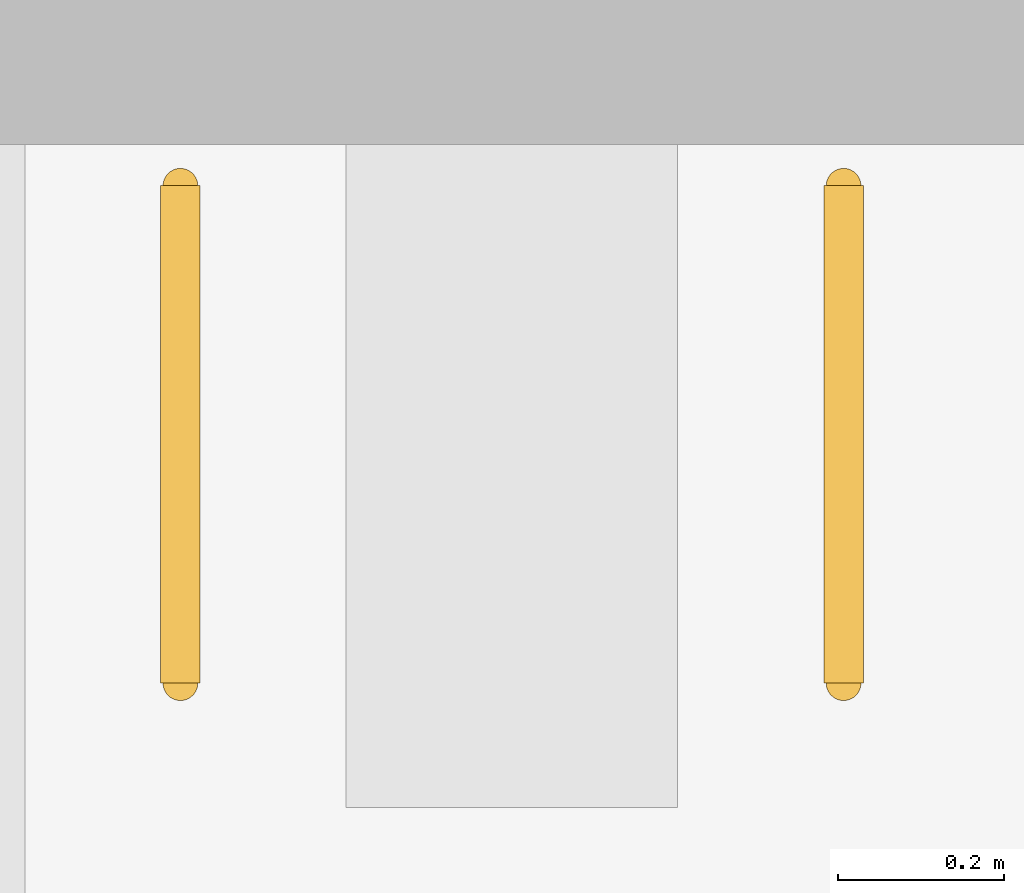
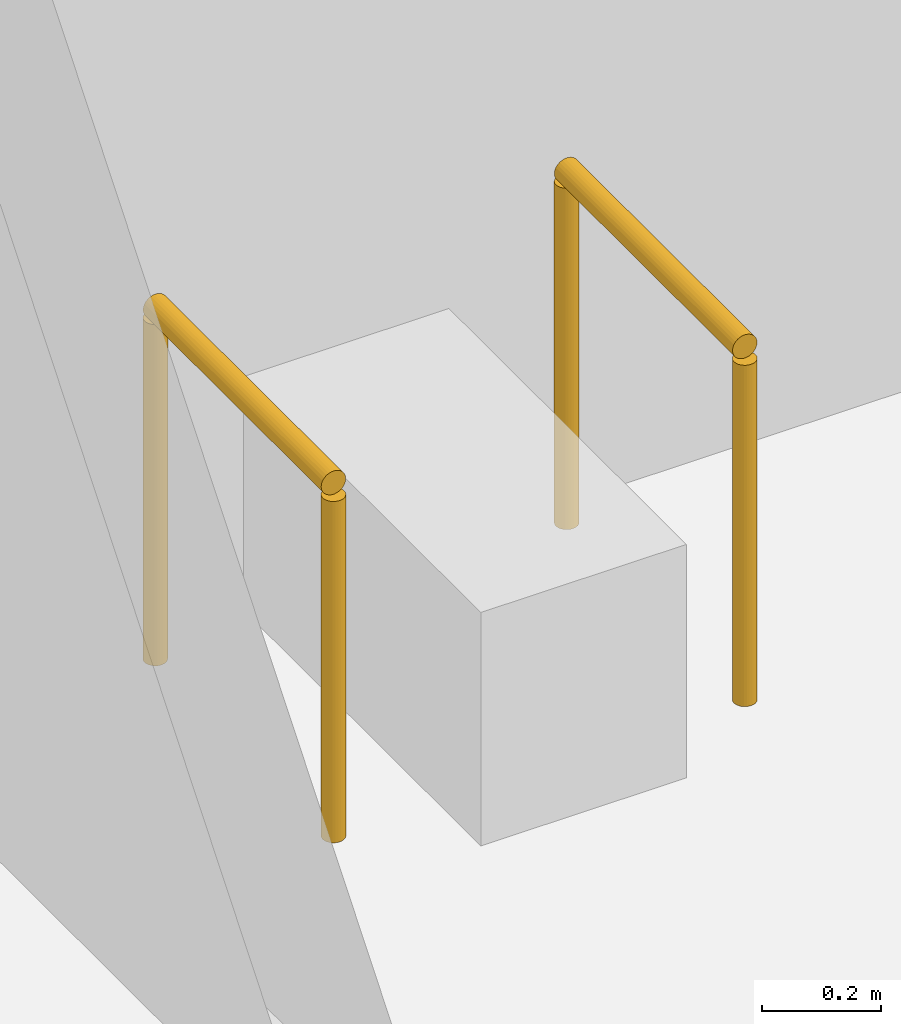
# One storey, part 228 of 250: 2 railings.
"""IFC4 building model written with IfcOpenShell, lengths in metres."""

from ifc_helpers import new_model, si_unit, direction, frame, origin, origin_2d, place, context, subcontext, project, spatial, circle, extrude, material, type_object, element, save


model = new_model("IFC4")

# Units and contexts
model_context = context("Model", 3, precision=1e-05, world=origin(), true_north=direction((0.0, 1.0)))
body_context = subcontext(model_context, "Body", "Model", "MODEL_VIEW")
ifc_project = project(units=[si_unit("LENGTHUNIT", "METRE"), si_unit("AREAUNIT", "SQUARE_METRE"), si_unit("VOLUMEUNIT", "CUBIC_METRE"), si_unit("PLANEANGLEUNIT", "RADIAN"), si_unit("MASSUNIT", "GRAM", prefix="KILO")], contexts=[model_context])

# Site, building, storey
site_placement = place(None, origin())
site = spatial("IfcSite", under=ifc_project, at=site_placement, CompositionType="ELEMENT")
building_placement = place(site_placement, origin())
building = spatial("IfcBuilding", under=site, at=building_placement, Name="Baradari Gate Terminus", CompositionType="ELEMENT")
storey_placement = place(building_placement, origin())
storey = spatial("IfcBuildingStorey", under=building, at=storey_placement, Name="L00", CompositionType="ELEMENT", Elevation=0.0)

# Railings
ifc_material = material(Name="Stainless steel 1.4301", Category="steel")
railing_type = type_object("IfcRailingType", Name="Grab rail GB-1 750", PredefinedType="HANDRAIL", material=ifc_material)
for number, where, name in (
    (1, (234.4375, 95.862548828125, 0.0), "Grab rail Accessible WC"),
    (2, (235.237548828125, 95.862548828125, 0.0), "Grab rail Accessible WC"),
):
    element("IfcRailing", number, at=place(storey_placement, frame(where)), inside=storey, type_object=railing_type, Name=name, PredefinedType="HANDRAIL", context=body_context, shape_type="SweptSolid", body=[
        extrude(circle(Radius=0.02392578125, at=origin_2d()), frame((0.0, 0.0, 0.72607421875), z_axis=(0.0, -1.0, 0.0), x_axis=(1.0, 0.0, 0.0)), (0.0, 0.0, 1.0), 0.60009765625),
        extrude(circle(Radius=0.02099609375, at=origin_2d()), origin(), (0.0, 0.0, 1.0), 0.701904296875),
        extrude(circle(Radius=0.02099609375, at=origin_2d()), frame((0.0, -0.60009765625, 0.0)), (0.0, 0.0, 1.0), 0.701904296875),
    ])

save(model, "model.ifc")
